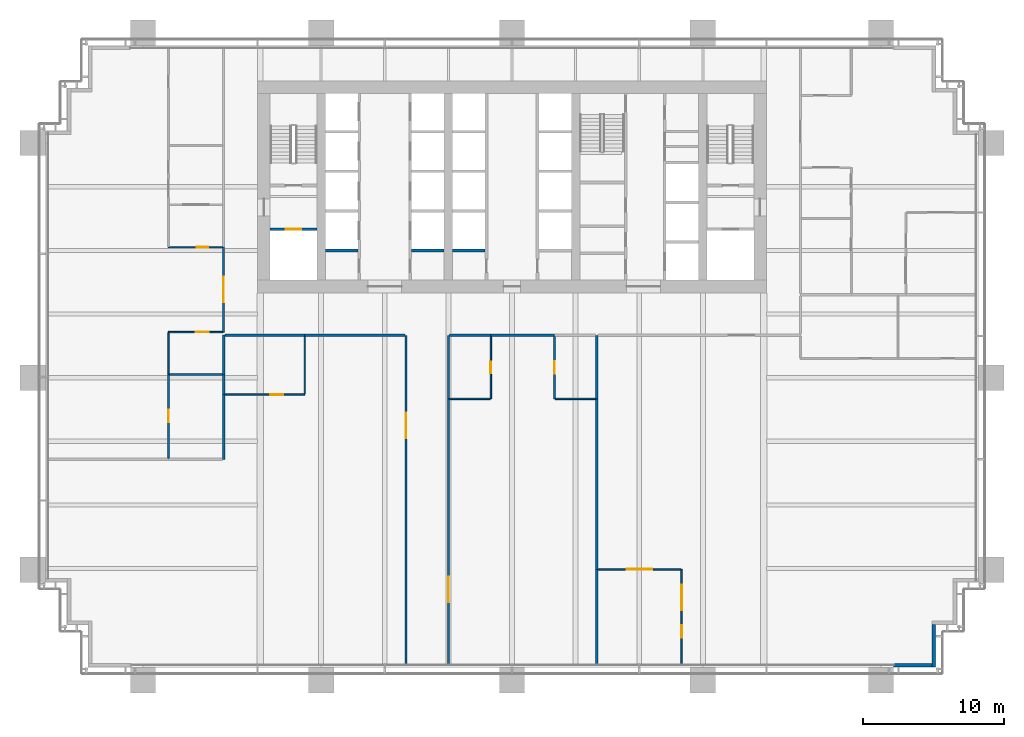
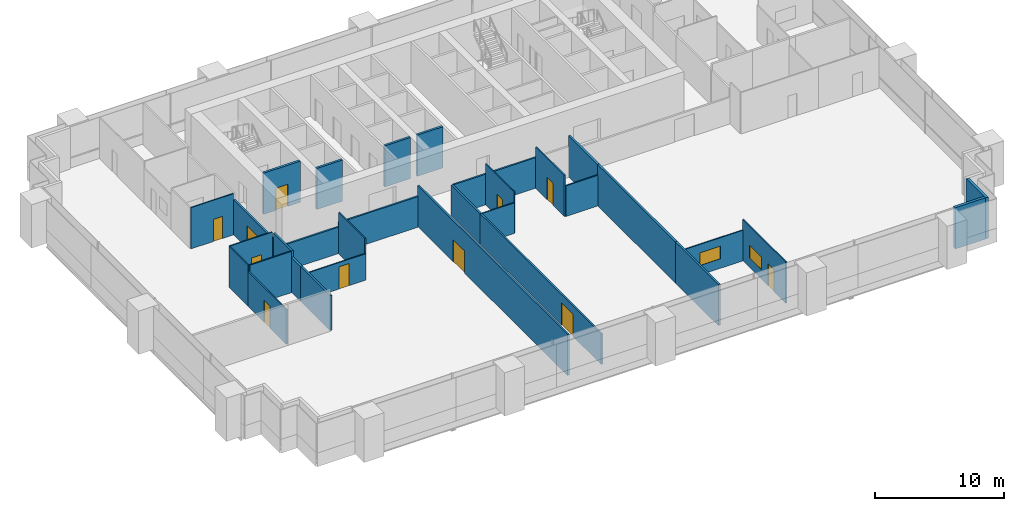
# One storey, part 11 of 19: 33 walls, 11 doors, 2 windows, 13 openings.
"""IFC4 building model written with IfcOpenShell, lengths in metres."""

from ifc_helpers import new_model, si_unit, direction, frame, frame_2d, origin, place, context, subcontext, project, spatial, rectangle, extrude, material, layer, layer_set, type_object, element, fill, save


model = new_model("IFC4")

# Units and contexts
model_context = context("Model", 3, precision=1e-05, world=origin(), true_north=direction((0.0, 1.0)))
body_context = subcontext(model_context, "Body", "Model", "MODEL_VIEW")
ifc_project = project(units=[si_unit("LENGTHUNIT", "METRE"), si_unit("AREAUNIT", "SQUARE_METRE"), si_unit("VOLUMEUNIT", "CUBIC_METRE"), si_unit("PLANEANGLEUNIT", "RADIAN"), si_unit("MASSUNIT", "GRAM", prefix="KILO")], contexts=[model_context])

# Site, building, storey
site_placement = place(None, origin())
site = spatial("IfcSite", under=ifc_project, at=site_placement, CompositionType="ELEMENT")
building_placement = place(site_placement, origin())
building = spatial("IfcBuilding", under=site, at=building_placement, Name="Rattan Terrace Tower", CompositionType="ELEMENT")
storey_placement = place(building_placement, frame((0.0, 0.0, 52.89990234375)))
storey = spatial("IfcBuildingStorey", under=building, at=storey_placement, Name="L11", CompositionType="ELEMENT", Elevation=52.89990234375)

# Wall, opening, door
ifc_material_1 = material(Name="Gypsum board partition")
ifc_layer_1 = layer(ifc_material_1, 0.199951171875)
ifc_layer_set_1 = layer_set([ifc_layer_1], Name="Core partition 200")
wall_type_1 = type_object("IfcWallType", Name="Core partition 200", PredefinedType="PARTITIONING", material=ifc_layer_set_1)
wall_1_placement = place(storey_placement, frame((-17.10009765625, -3.0, 0.0), z_axis=(0.0, 0.0, 1.0), x_axis=(1.0, 0.0, 0.0)))
wall_1 = element("IfcWall", 1, at=wall_1_placement, inside=storey, type_object=wall_type_1, Name="Fire-fighting lobby wall", PredefinedType="PARTITIONING", context=body_context, shape_type="SweptSolid", body=[
    extrude(rectangle(XDim=3.300048828125, YDim=0.199951171875, at=frame_2d((1.64990234375, 0.0))), origin(), (0.0, 0.0, 1.0), 3.900146484375),
])
opening_1_placement = place(wall_1_placement, frame((1.10009765625, 0.0, 0.0)))
opening_1 = element("IfcOpeningElement", 2, at=opening_1_placement, cuts=wall_1, Name="Opening L11-LD-FF1", PredefinedType="OPENING", context=body_context, shape_type="SweptSolid", body=[
    extrude(rectangle(XDim=1.10009765625, YDim=2.10009765625, at=frame_2d((0.550048828125, 1.050048828125))), frame((0.0, 0.110595703125, 0.0), z_axis=(0.0, -1.0, 0.0), x_axis=(1.0, 0.0, 0.0)), (0.0, 0.0, 1.0), 0.220947265625),
])
ifc_material_2 = material(Name="Brushed stainless landing door panel")
door_type_1 = type_object("IfcDoorType", Name="Core lift landing door 1100", OperationType="DOUBLE_DOOR_SLIDING", PredefinedType="DOOR", material=ifc_material_2)
door_1_placement = place(opening_1_placement, origin())
door_1 = element("IfcDoor", 3, at=door_1_placement, inside=storey, type_object=door_type_1, Name="Door L11-LD-FF1", OperationType="DOUBLE_DOOR_SLIDING", OverallHeight=2.10009765625, OverallWidth=1.10009765625, PredefinedType="DOOR", context=body_context, shape_type="SweptSolid", body=[
    extrude(rectangle(XDim=1.10009765625, YDim=2.10009765625, at=frame_2d((0.550048828125, 1.050048828125))), frame((0.0, 0.02490234375, 0.0), z_axis=(0.0, -1.0, 0.0), x_axis=(1.0, 0.0, 0.0)), (0.0, 0.0, 1.0), 0.050048828125),
])
fill(opening_1, door_1)

# Walls
ifc_material_3 = material(Name="Insulated aluminium-clad stud wall", Category="aluminium")
ifc_layer_2 = layer(ifc_material_3, 0.25)
ifc_layer_set_2 = layer_set([ifc_layer_2], Name="Facade Riser Wall 250")
wall_type_2 = type_object("IfcWallType", Name="Facade Riser Wall 250", PredefinedType="SOLIDWALL", material=ifc_layer_set_2)
wall_2_placement = place(storey_placement, frame((27.0, -33.830078125, 0.0), z_axis=(0.0, 0.0, 1.0), x_axis=(1.0, 0.0, 0.0)))
element("IfcWall", 4, at=wall_2_placement, inside=storey, type_object=wall_type_2, Name="Riser wall L11-1", PredefinedType="SOLIDWALL", context=body_context, shape_type="SweptSolid", body=[
    extrude(rectangle(XDim=2.705078125, YDim=0.25, at=frame_2d((1.3525390625, 0.0))), origin(), (0.0, 0.0, 1.0), 3.900146484375),
])
wall_3_placement = place(storey_placement, frame((29.830078125, -33.955078125, 0.0), z_axis=(0.0, 0.0, 1.0), x_axis=(0.0, 1.0, 0.0)))
element("IfcWall", 5, at=wall_3_placement, inside=storey, type_object=wall_type_2, Name="Riser wall L11-2", PredefinedType="SOLIDWALL", context=body_context, shape_type="SweptSolid", body=[
    extrude(rectangle(XDim=3.0, YDim=0.25, at=frame_2d((1.5, 0.0))), origin(), (0.0, 0.0, 1.0), 3.900146484375),
])
ifc_material_4 = material(Name="Double steel stud acoustic partition, gypsum board, mineral wool, fire rated", Category="steel")
ifc_layer_3 = layer(ifc_material_4, 0.179931640625)
ifc_layer_set_3 = layer_set([ifc_layer_3], Name="Floors Acoustic Party Wall 180")
wall_type_3 = type_object("IfcWallType", Name="Floors Acoustic Party Wall 180", PredefinedType="PARTITIONING", material=ifc_layer_set_3)
wall_4_placement = place(storey_placement, frame((-20.39990234375, -14.679931640625, 0.0), z_axis=(0.0, 0.0, 1.0), x_axis=(0.0, -1.0, 0.0)))
element("IfcWall", 6, at=wall_4_placement, inside=storey, type_object=wall_type_3, Name="pt-L11-029", PredefinedType="PARTITIONING", context=body_context, shape_type="SweptSolid", body=[
    extrude(rectangle(XDim=4.593017578125, YDim=0.179931640625, at=frame_2d((2.29638671875, 0.0))), origin(), (0.0, 0.0, 1.0), 3.300048828125),
])
wall_5_placement = place(storey_placement, frame((-20.39990234375, -13.27294921875, 0.0), z_axis=(0.0, 0.0, 1.0), x_axis=(0.0, -1.0, 0.0)))
element("IfcWall", 7, at=wall_5_placement, inside=storey, type_object=wall_type_3, Name="pt-L11-030", PredefinedType="PARTITIONING", context=body_context, shape_type="SweptSolid", body=[
    extrude(rectangle(XDim=1.406982421875, YDim=0.179931640625, at=frame_2d((0.70361328125, 0.0))), origin(), (0.0, 0.0, 1.0), 3.300048828125),
])
wall_6_placement = place(storey_placement, frame((-20.39990234375, -10.47998046875, 0.0), z_axis=(0.0, 0.0, 1.0), x_axis=(0.0, -1.0, 0.0)))
element("IfcWall", 8, at=wall_6_placement, inside=storey, type_object=wall_type_3, Name="pt-L11-031", PredefinedType="PARTITIONING", context=body_context, shape_type="SweptSolid", body=[
    extrude(rectangle(XDim=2.79296875, YDim=0.179931640625, at=frame_2d((1.396484375, 0.0))), origin(), (0.0, 0.0, 1.0), 3.900146484375),
])
wall_7_placement = place(storey_placement, frame((6.0, -15.0, 0.0), z_axis=(0.0, 0.0, 1.0), x_axis=(0.0, -1.0, 0.0)))
element("IfcWall", 9, at=wall_7_placement, inside=storey, type_object=wall_type_3, Name="pt-L11-052", PredefinedType="PARTITIONING", context=body_context, shape_type="SweptSolid", body=[
    extrude(rectangle(XDim=12.080078125, YDim=0.179931640625, at=frame_2d((6.0400390625, 0.0))), origin(), (0.0, 0.0, 1.0), 3.900146484375),
])
wall_8_placement = place(storey_placement, frame((6.0, -27.080078125, 0.0), z_axis=(0.0, 0.0, 1.0), x_axis=(0.0, -1.0, 0.0)))
element("IfcWall", 10, at=wall_8_placement, inside=storey, type_object=wall_type_3, Name="pt-L11-053", PredefinedType="PARTITIONING", context=body_context, shape_type="SweptSolid", body=[
    extrude(rectangle(XDim=6.659912109375, YDim=0.179931640625, at=frame_2d((3.330078125, 0.0))), origin(), (0.0, 0.0, 1.0), 3.900146484375),
])
wall_9_placement = place(storey_placement, frame((6.0, -10.5, 0.0), z_axis=(0.0, 0.0, 1.0), x_axis=(0.0, -1.0, 0.0)))
element("IfcWall", 11, at=wall_9_placement, inside=storey, type_object=wall_type_3, Name="pt-L11-054", PredefinedType="PARTITIONING", context=body_context, shape_type="SweptSolid", body=[
    extrude(rectangle(XDim=4.5, YDim=0.179931640625, at=frame_2d((2.25, 0.0))), origin(), (0.0, 0.0, 1.0), 3.900146484375),
])
ifc_material_5 = material(Name="Gypsum board partition on steel studs", Category="steel")
ifc_layer_4 = layer(ifc_material_5, 0.10009765625)
ifc_layer_set_4 = layer_set([ifc_layer_4], Name="Floors Partition 100")
wall_type_4 = type_object("IfcWallType", Name="Floors Partition 100", PredefinedType="PARTITIONING", material=ifc_layer_set_4)
wall_10_placement = place(storey_placement, frame((-24.300048828125, -10.322998046875, 0.0), z_axis=(0.0, 0.0, 1.0), x_axis=(0.0, -1.0, 0.0)))
element("IfcWall", 12, at=wall_10_placement, inside=storey, type_object=wall_type_4, Name="pt-L11-020", PredefinedType="PARTITIONING", context=body_context, shape_type="SweptSolid", body=[
    extrude(rectangle(XDim=2.929931640625, YDim=0.10009765625, at=frame_2d((1.46484375, 0.0))), origin(), (0.0, 0.0, 1.0), 3.900146484375),
])

# Wall, opening, door
wall_11_placement = place(storey_placement, frame((-20.47509765625, -10.27294921875, 0.0), z_axis=(0.0, 0.0, 1.0), x_axis=(-1.0, 0.0, 0.0)))
wall_11 = element("IfcWall", 13, at=wall_11_placement, inside=storey, type_object=wall_type_4, Name="pt-L11-021", PredefinedType="PARTITIONING", context=body_context, shape_type="SweptSolid", body=[
    extrude(rectangle(XDim=3.824951171875, YDim=0.10009765625, at=frame_2d((1.91259765625, 0.0))), origin(), (0.0, 0.0, 1.0), 3.900146484375),
])
opening_2_placement = place(wall_11_placement, frame((0.97705078125, 0.0, 0.0)))
opening_2 = element("IfcOpeningElement", 14, at=opening_2_placement, cuts=wall_11, Name="Opening L11-D102", PredefinedType="OPENING", context=body_context, shape_type="SweptSolid", body=[
    extrude(rectangle(XDim=0.89990234375, YDim=2.10009765625, at=frame_2d((0.449951171875, 1.050048828125))), frame((0.0, 0.060546875, 0.0), z_axis=(0.0, -1.0, 0.0), x_axis=(1.0, 0.0, 0.0)), (0.0, 0.0, 1.0), 0.12109375),
])
ifc_material_6 = material(Name="Solid core timber door, painted", Category="wood")
door_type_2 = type_object("IfcDoorType", Name="Floors Door 900x2100", OperationType="NOTDEFINED", PredefinedType="DOOR", material=ifc_material_6)
door_2_placement = place(opening_2_placement, origin())
door_2 = element("IfcDoor", 15, at=door_2_placement, inside=storey, type_object=door_type_2, Name="d-L11-102", OperationType="SINGLE_SWING_LEFT", OverallHeight=2.10009765625, OverallWidth=0.89990234375, PredefinedType="DOOR", context=body_context, shape_type="SweptSolid", body=[
    extrude(rectangle(XDim=0.89990234375, YDim=2.10009765625, at=frame_2d((0.449951171875, 1.050048828125))), frame((0.0, 0.02490234375, 0.0), z_axis=(0.0, -1.0, 0.0), x_axis=(1.0, 0.0, 0.0)), (0.0, 0.0, 1.0), 0.050048828125),
])
fill(opening_2, door_2)

wall_12_placement = place(storey_placement, frame((-24.300048828125, -4.27294921875, 0.0), z_axis=(0.0, 0.0, 1.0), x_axis=(1.0, 0.0, 0.0)))
wall_12 = element("IfcWall", 16, at=wall_12_placement, inside=storey, type_object=wall_type_4, Name="pt-L11-023", PredefinedType="PARTITIONING", context=body_context, shape_type="SweptSolid", body=[
    extrude(rectangle(XDim=3.824951171875, YDim=0.10009765625, at=frame_2d((1.91259765625, 0.0))), origin(), (0.0, 0.0, 1.0), 3.900146484375),
])
opening_3_placement = place(wall_12_placement, frame((2.01708984375, 0.0, 0.0)))
opening_3 = element("IfcOpeningElement", 17, at=opening_3_placement, cuts=wall_12, Name="Opening L11-D103", PredefinedType="OPENING", context=body_context, shape_type="SweptSolid", body=[
    extrude(rectangle(XDim=0.800048828125, YDim=2.10009765625, at=frame_2d((0.39990234375, 1.050048828125))), frame((0.0, 0.060546875, 0.0), z_axis=(0.0, -1.0, 0.0), x_axis=(1.0, 0.0, 0.0)), (0.0, 0.0, 1.0), 0.12109375),
])
ifc_material_7 = material(Name="Solid core timber door, painted", Category="wood")
door_type_3 = type_object("IfcDoorType", Name="Floors Store Door 800x2100", OperationType="NOTDEFINED", PredefinedType="DOOR", material=ifc_material_7)
door_3_placement = place(opening_3_placement, origin())
door_3 = element("IfcDoor", 18, at=door_3_placement, inside=storey, type_object=door_type_3, Name="d-L11-103", OperationType="SINGLE_SWING_RIGHT", OverallHeight=2.10009765625, OverallWidth=0.800048828125, PredefinedType="DOOR", context=body_context, shape_type="SweptSolid", body=[
    extrude(rectangle(XDim=0.800048828125, YDim=2.10009765625, at=frame_2d((0.39990234375, 1.050048828125))), frame((0.0, 0.02490234375, 0.0), z_axis=(0.0, -1.0, 0.0), x_axis=(1.0, 0.0, 0.0)), (0.0, 0.0, 1.0), 0.050048828125),
])
fill(opening_3, door_3)

wall_13_placement = place(storey_placement, frame((-20.31005859375, -14.699951171875, 0.0), z_axis=(0.0, 0.0, 1.0), x_axis=(1.0, 0.0, 0.0)))
wall_13 = element("IfcWall", 19, at=wall_13_placement, inside=storey, type_object=wall_type_4, Name="pt-L11-046", PredefinedType="PARTITIONING", context=body_context, shape_type="SweptSolid", body=[
    extrude(rectangle(XDim=5.650146484375, YDim=0.10009765625, at=frame_2d((2.8251953125, 0.0))), origin(), (0.0, 0.0, 1.0), 2.5),
])
opening_4_placement = place(wall_13_placement, frame((3.22509765625, 0.0, 0.0)))
opening_4 = element("IfcOpeningElement", 20, at=opening_4_placement, cuts=wall_13, Name="Opening L11-D112", PredefinedType="OPENING", context=body_context, shape_type="SweptSolid", body=[
    extrude(rectangle(XDim=0.89990234375, YDim=2.10009765625, at=frame_2d((0.449951171875, 1.050048828125))), frame((0.0, 0.060546875, 0.0), z_axis=(0.0, -1.0, 0.0), x_axis=(1.0, 0.0, 0.0)), (0.0, 0.0, 1.0), 0.12109375),
])
door_4_placement = place(opening_4_placement, origin())
door_4 = element("IfcDoor", 21, at=door_4_placement, inside=storey, type_object=door_type_2, Name="d-L11-112", OperationType="SINGLE_SWING_RIGHT", OverallHeight=2.10009765625, OverallWidth=0.89990234375, PredefinedType="DOOR", context=body_context, shape_type="SweptSolid", body=[
    extrude(rectangle(XDim=0.89990234375, YDim=2.10009765625, at=frame_2d((0.449951171875, 1.050048828125))), frame((0.0, 0.02490234375, 0.0), z_axis=(0.0, -1.0, 0.0), x_axis=(1.0, 0.0, 0.0)), (0.0, 0.0, 1.0), 0.050048828125),
])
fill(opening_4, door_4)

# Walls
wall_14_placement = place(storey_placement, frame((-14.659912109375, -14.64990234375, 0.0), z_axis=(0.0, 0.0, 1.0), x_axis=(0.0, 1.0, 0.0)))
element("IfcWall", 22, at=wall_14_placement, inside=storey, type_object=wall_type_4, Name="pt-L11-047", PredefinedType="PARTITIONING", context=body_context, shape_type="SweptSolid", body=[
    extrude(rectangle(XDim=4.074951171875, YDim=0.10009765625, at=frame_2d((2.03759765625, 0.0))), origin(), (0.0, 0.0, 1.0), 3.900146484375),
])
wall_15_placement = place(storey_placement, frame((-4.425048828125, -15.0, 0.0), z_axis=(0.0, 0.0, 1.0), x_axis=(1.0, 0.0, 0.0)))
element("IfcWall", 23, at=wall_15_placement, inside=storey, type_object=wall_type_4, Name="pt-L11-048", PredefinedType="PARTITIONING", context=body_context, shape_type="SweptSolid", body=[
    extrude(rectangle(XDim=2.875, YDim=0.10009765625, at=frame_2d((1.4375, 0.0))), origin(), (0.0, 0.0, 1.0), 2.900146484375),
])

# Wall, opening, door
wall_16_placement = place(storey_placement, frame((-1.5, -15.0, 0.0), z_axis=(0.0, 0.0, 1.0), x_axis=(0.0, 1.0, 0.0)))
wall_16 = element("IfcWall", 24, at=wall_16_placement, inside=storey, type_object=wall_type_4, Name="pt-L11-049", PredefinedType="PARTITIONING", context=body_context, shape_type="SweptSolid", body=[
    extrude(rectangle(XDim=4.425048828125, YDim=0.10009765625, at=frame_2d((2.21240234375, 0.0))), origin(), (0.0, 0.0, 1.0), 3.900146484375),
])
opening_5_placement = place(wall_16_placement, frame((1.81298828125, 0.0, 0.0)))
opening_5 = element("IfcOpeningElement", 25, at=opening_5_placement, cuts=wall_16, Name="Opening L11-D114", PredefinedType="OPENING", context=body_context, shape_type="SweptSolid", body=[
    extrude(rectangle(XDim=0.800048828125, YDim=2.10009765625, at=frame_2d((0.39990234375, 1.050048828125))), frame((0.0, 0.060546875, 0.0), z_axis=(0.0, -1.0, 0.0), x_axis=(1.0, 0.0, 0.0)), (0.0, 0.0, 1.0), 0.12109375),
])
door_5_placement = place(opening_5_placement, origin())
door_5 = element("IfcDoor", 26, at=door_5_placement, inside=storey, type_object=door_type_3, Name="d-L11-114", OperationType="SINGLE_SWING_LEFT", OverallHeight=2.10009765625, OverallWidth=0.800048828125, PredefinedType="DOOR", context=body_context, shape_type="SweptSolid", body=[
    extrude(rectangle(XDim=0.800048828125, YDim=2.10009765625, at=frame_2d((0.39990234375, 1.050048828125))), frame((0.0, 0.02490234375, 0.0), z_axis=(0.0, -1.0, 0.0), x_axis=(1.0, 0.0, 0.0)), (0.0, 0.0, 1.0), 0.050048828125),
])
fill(opening_5, door_5)

# Wall, opening, window
wall_17_placement = place(storey_placement, frame((11.949951171875, -27.06005859375, 0.0), z_axis=(0.0, 0.0, 1.0), x_axis=(-1.0, 0.0, 0.0)))
wall_17 = element("IfcWall", 27, at=wall_17_placement, inside=storey, type_object=wall_type_4, Name="pt-L11-055", PredefinedType="PARTITIONING", context=body_context, shape_type="SweptSolid", body=[
    extrude(rectangle(XDim=5.85986328125, YDim=0.10009765625, at=frame_2d((2.929931640625, 0.0))), origin(), (0.0, 0.0, 1.0), 2.900146484375),
])
opening_6_placement = place(wall_17_placement, frame((2.030029296875, 0.0, 0.89990234375)))
opening_6 = element("IfcOpeningElement", 28, at=opening_6_placement, cuts=wall_17, Name="Opening L11-W106", PredefinedType="OPENING", context=body_context, shape_type="SweptSolid", body=[
    extrude(rectangle(XDim=1.800048828125, YDim=1.199951171875, at=frame_2d((0.89990234375, 0.60009765625))), frame((0.0, 0.060546875, 0.0), z_axis=(0.0, -1.0, 0.0), x_axis=(1.0, 0.0, 0.0)), (0.0, 0.0, 1.0), 0.12109375),
])
ifc_material_8 = material(Name="Glass, clear, fixed in aluminium frame", Category="aluminium")
window_type = type_object("IfcWindowType", Name="Interior Vision Window 1800x1200", PartitioningType="SINGLE_PANEL", PredefinedType="WINDOW", material=ifc_material_8)
window_1_placement = place(opening_6_placement, origin())
window_1 = element("IfcWindow", 29, at=window_1_placement, inside=storey, type_object=window_type, Name="w-L11-106", OverallHeight=1.199951171875, OverallWidth=1.800048828125, PartitioningType="SINGLE_PANEL", PredefinedType="WINDOW", context=body_context, shape_type="SweptSolid", body=[
    extrude(rectangle(XDim=1.800048828125, YDim=1.199951171875, at=frame_2d((0.89990234375, 0.60009765625))), frame((0.0, 0.030029296875, 0.0), z_axis=(0.0, -1.0, 0.0), x_axis=(1.0, 0.0, 0.0)), (0.0, 0.0, 1.0), 0.06005859375),
])
fill(opening_6, window_1)

# Wall, openings, door, window
wall_18_placement = place(storey_placement, frame((12.0, -33.739990234375, 0.0), z_axis=(0.0, 0.0, 1.0), x_axis=(0.0, 1.0, 0.0)))
wall_18 = element("IfcWall", 30, at=wall_18_placement, inside=storey, type_object=wall_type_4, Name="pt-L11-056", PredefinedType="PARTITIONING", context=body_context, shape_type="SweptSolid", body=[
    extrude(rectangle(XDim=6.679931640625, YDim=0.10009765625, at=frame_2d((3.33984375, 0.0))), origin(), (0.0, 0.0, 1.0), 3.900146484375),
])
opening_7_placement = place(wall_18_placement, frame((1.833984375, 0.0, 0.0)))
opening_7 = element("IfcOpeningElement", 31, at=opening_7_placement, cuts=wall_18, Name="Opening L11-D117", PredefinedType="OPENING", context=body_context, shape_type="SweptSolid", body=[
    extrude(rectangle(XDim=0.89990234375, YDim=2.10009765625, at=frame_2d((0.449951171875, 1.050048828125))), frame((0.0, 0.060546875, 0.0), z_axis=(0.0, -1.0, 0.0), x_axis=(1.0, 0.0, 0.0)), (0.0, 0.0, 1.0), 0.12109375),
])
opening_8_placement = place(wall_18_placement, frame((3.781982421875, 0.0, 0.89990234375)))
opening_8 = element("IfcOpeningElement", 32, at=opening_8_placement, cuts=wall_18, Name="Opening L11-W107", PredefinedType="OPENING", context=body_context, shape_type="SweptSolid", body=[
    extrude(rectangle(XDim=1.800048828125, YDim=1.199951171875, at=frame_2d((0.89990234375, 0.60009765625))), frame((0.0, 0.060546875, 0.0), z_axis=(0.0, -1.0, 0.0), x_axis=(1.0, 0.0, 0.0)), (0.0, 0.0, 1.0), 0.12109375),
])
door_6_placement = place(opening_7_placement, origin())
door_6 = element("IfcDoor", 33, at=door_6_placement, inside=storey, type_object=door_type_2, Name="d-L11-117", OperationType="SINGLE_SWING_LEFT", OverallHeight=2.10009765625, OverallWidth=0.89990234375, PredefinedType="DOOR", context=body_context, shape_type="SweptSolid", body=[
    extrude(rectangle(XDim=0.89990234375, YDim=2.10009765625, at=frame_2d((0.449951171875, 1.050048828125))), frame((0.0, 0.02490234375, 0.0), z_axis=(0.0, -1.0, 0.0), x_axis=(1.0, 0.0, 0.0)), (0.0, 0.0, 1.0), 0.050048828125),
])
fill(opening_7, door_6)
window_2_placement = place(opening_8_placement, origin())
window_2 = element("IfcWindow", 34, at=window_2_placement, inside=storey, type_object=window_type, Name="w-L11-107", OverallHeight=1.199951171875, OverallWidth=1.800048828125, PartitioningType="SINGLE_PANEL", PredefinedType="WINDOW", context=body_context, shape_type="SweptSolid", body=[
    extrude(rectangle(XDim=1.800048828125, YDim=1.199951171875, at=frame_2d((0.89990234375, 0.60009765625))), frame((0.0, 0.030029296875, 0.0), z_axis=(0.0, -1.0, 0.0), x_axis=(1.0, 0.0, 0.0)), (0.0, 0.0, 1.0), 0.06005859375),
])
fill(opening_8, window_2)

# Wall, opening, door
ifc_material_9 = material(Name="Gypsum board partition on steel studs, fire rated", Category="steel")
ifc_layer_5 = layer(ifc_material_9, 0.14990234375)
ifc_layer_set_5 = layer_set([ifc_layer_5], Name="Floors Tenancy Wall 150")
wall_type_5 = type_object("IfcWallType", Name="Floors Tenancy Wall 150", PredefinedType="PARTITIONING", material=ifc_layer_set_5)
wall_19_placement = place(storey_placement, frame((-20.39990234375, -10.29296875, 0.0), z_axis=(0.0, 0.0, 1.0), x_axis=(0.0, 1.0, 0.0)))
wall_19 = element("IfcWall", 35, at=wall_19_placement, inside=storey, type_object=wall_type_5, Name="pt-L11-001", PredefinedType="PARTITIONING", context=body_context, shape_type="SweptSolid", body=[
    extrude(rectangle(XDim=6.0400390625, YDim=0.14990234375, at=frame_2d((3.02001953125, 0.0))), origin(), (0.0, 0.0, 1.0), 3.300048828125),
])
opening_9_placement = place(wall_19_placement, frame((2.1201171875, 0.0, 0.0)))
opening_9 = element("IfcOpeningElement", 36, at=opening_9_placement, cuts=wall_19, Name="Opening L11-D100", PredefinedType="OPENING", context=body_context, shape_type="SweptSolid", body=[
    extrude(rectangle(XDim=1.800048828125, YDim=2.10009765625, at=frame_2d((0.89990234375, 1.050048828125))), frame((0.0, 0.08544921875, 0.0), z_axis=(0.0, -1.0, 0.0), x_axis=(1.0, 0.0, 0.0)), (0.0, 0.0, 1.0), 0.1708984375),
])
ifc_material_10 = material(Name="Steel fire door set", Category="steel")
door_type_4 = type_object("IfcDoorType", Name="Floors Fire Door Pair FD30S 1800x2100", OperationType="NOTDEFINED", PredefinedType="DOOR", material=ifc_material_10)
door_7_placement = place(opening_9_placement, origin())
door_7 = element("IfcDoor", 37, at=door_7_placement, inside=storey, type_object=door_type_4, Name="d-L11-100", OperationType="DOUBLE_DOOR_SINGLE_SWING", OverallHeight=2.10009765625, OverallWidth=1.800048828125, PredefinedType="DOOR", context=body_context, shape_type="SweptSolid", body=[
    extrude(rectangle(XDim=1.800048828125, YDim=2.10009765625, at=frame_2d((0.89990234375, 1.050048828125))), frame((0.0, 0.02490234375, 0.0), z_axis=(0.0, -1.0, 0.0), x_axis=(1.0, 0.0, 0.0)), (0.0, 0.0, 1.0), 0.050048828125),
])
fill(opening_9, door_7)

# Wall
wall_20_placement = place(storey_placement, frame((-7.574951171875, -10.5, 0.0), z_axis=(0.0, 0.0, 1.0), x_axis=(-1.0, 0.0, 0.0)))
element("IfcWall", 38, at=wall_20_placement, inside=storey, type_object=wall_type_5, Name="pt-L11-009", PredefinedType="PARTITIONING", context=body_context, shape_type="SweptSolid", body=[
    extrude(rectangle(XDim=7.10498046875, YDim=0.14990234375, at=frame_2d((3.552490234375, 0.0))), origin(), (0.0, 0.0, 1.0), 2.900146484375),
])

# Wall, opening, door
wall_21_placement = place(storey_placement, frame((-7.5, -33.739990234375, 0.0), z_axis=(0.0, 0.0, 1.0), x_axis=(0.0, 1.0, 0.0)))
wall_21 = element("IfcWall", 39, at=wall_21_placement, inside=storey, type_object=wall_type_5, Name="pt-L11-010", PredefinedType="PARTITIONING", context=body_context, shape_type="SweptSolid", body=[
    extrude(rectangle(XDim=23.239990234375, YDim=0.14990234375, at=frame_2d((11.6201171875, 0.0))), origin(), (0.0, 0.0, 1.0), 3.900146484375),
])
opening_10_placement = place(wall_21_placement, frame((15.955078125, 0.0, 0.0)))
opening_10 = element("IfcOpeningElement", 40, at=opening_10_placement, cuts=wall_21, Name="Opening L11-D111", PredefinedType="OPENING", context=body_context, shape_type="SweptSolid", body=[
    extrude(rectangle(XDim=1.800048828125, YDim=2.10009765625, at=frame_2d((0.89990234375, 1.050048828125))), frame((0.0, 0.08544921875, 0.0), z_axis=(0.0, -1.0, 0.0), x_axis=(1.0, 0.0, 0.0)), (0.0, 0.0, 1.0), 0.1708984375),
])
door_8_placement = place(opening_10_placement, origin())
door_8 = element("IfcDoor", 41, at=door_8_placement, inside=storey, type_object=door_type_4, Name="d-L11-111", OperationType="DOUBLE_DOOR_SINGLE_SWING", OverallHeight=2.10009765625, OverallWidth=1.800048828125, PredefinedType="DOOR", context=body_context, shape_type="SweptSolid", body=[
    extrude(rectangle(XDim=1.800048828125, YDim=2.10009765625, at=frame_2d((0.89990234375, 1.050048828125))), frame((0.0, 0.02490234375, 0.0), z_axis=(0.0, -1.0, 0.0), x_axis=(1.0, 0.0, 0.0)), (0.0, 0.0, 1.0), 0.050048828125),
])
fill(opening_10, door_8)

# Wall
wall_22_placement = place(storey_placement, frame((-14.679931640625, -10.5, 0.0), z_axis=(0.0, 0.0, 1.0), x_axis=(-1.0, 0.0, 0.0)))
element("IfcWall", 42, at=wall_22_placement, inside=storey, type_object=wall_type_5, Name="pt-L11-011", PredefinedType="PARTITIONING", context=body_context, shape_type="SweptSolid", body=[
    extrude(rectangle(XDim=5.630126953125, YDim=0.14990234375, at=frame_2d((2.81494140625, 0.0))), origin(), (0.0, 0.0, 1.0), 2.5),
])

# Wall, opening, door
wall_23_placement = place(storey_placement, frame((-4.5, -14.97998046875, 0.0), z_axis=(0.0, 0.0, 1.0), x_axis=(0.0, -1.0, 0.0)))
wall_23 = element("IfcWall", 43, at=wall_23_placement, inside=storey, type_object=wall_type_5, Name="pt-L11-012", PredefinedType="PARTITIONING", context=body_context, shape_type="SweptSolid", body=[
    extrude(rectangle(XDim=18.760009765625, YDim=0.14990234375, at=frame_2d((9.3798828125, 0.0))), origin(), (0.0, 0.0, 1.0), 2.900146484375),
])
opening_11_placement = place(wall_23_placement, frame((12.594970703125, 0.0, 0.0)))
opening_11 = element("IfcOpeningElement", 44, at=opening_11_placement, cuts=wall_23, Name="Opening L11-D113", PredefinedType="OPENING", context=body_context, shape_type="SweptSolid", body=[
    extrude(rectangle(XDim=1.800048828125, YDim=2.10009765625, at=frame_2d((0.89990234375, 1.050048828125))), frame((0.0, 0.08544921875, 0.0), z_axis=(0.0, -1.0, 0.0), x_axis=(1.0, 0.0, 0.0)), (0.0, 0.0, 1.0), 0.1708984375),
])
door_9_placement = place(opening_11_placement, origin())
door_9 = element("IfcDoor", 45, at=door_9_placement, inside=storey, type_object=door_type_4, Name="d-L11-113", OperationType="DOUBLE_DOOR_SINGLE_SWING", OverallHeight=2.10009765625, OverallWidth=1.800048828125, PredefinedType="DOOR", context=body_context, shape_type="SweptSolid", body=[
    extrude(rectangle(XDim=1.800048828125, YDim=2.10009765625, at=frame_2d((0.89990234375, 1.050048828125))), frame((0.0, 0.02490234375, 0.0), z_axis=(0.0, -1.0, 0.0), x_axis=(1.0, 0.0, 0.0)), (0.0, 0.0, 1.0), 0.050048828125),
])
fill(opening_11, door_9)

# Walls
wall_24_placement = place(storey_placement, frame((3.02001953125, -10.5, 0.0), z_axis=(0.0, 0.0, 1.0), x_axis=(-1.0, 0.0, 0.0)))
element("IfcWall", 46, at=wall_24_placement, inside=storey, type_object=wall_type_5, Name="pt-L11-013", PredefinedType="PARTITIONING", context=body_context, shape_type="SweptSolid", body=[
    extrude(rectangle(XDim=4.5400390625, YDim=0.14990234375, at=frame_2d((2.27001953125, 0.0))), origin(), (0.0, 0.0, 1.0), 2.900146484375),
])
wall_25_placement = place(storey_placement, frame((-4.5, -10.5, 0.0), z_axis=(0.0, 0.0, 1.0), x_axis=(0.0, -1.0, 0.0)))
element("IfcWall", 47, at=wall_25_placement, inside=storey, type_object=wall_type_5, Name="pt-L11-014", PredefinedType="PARTITIONING", context=body_context, shape_type="SweptSolid", body=[
    extrude(rectangle(XDim=4.47998046875, YDim=0.14990234375, at=frame_2d((2.239990234375, 0.0))), origin(), (0.0, 0.0, 1.0), 2.900146484375),
])
wall_26_placement = place(storey_placement, frame((-1.52001953125, -10.5, 0.0), z_axis=(0.0, 0.0, 1.0), x_axis=(-1.0, 0.0, 0.0)))
element("IfcWall", 48, at=wall_26_placement, inside=storey, type_object=wall_type_5, Name="pt-L11-015", PredefinedType="PARTITIONING", context=body_context, shape_type="SweptSolid", body=[
    extrude(rectangle(XDim=2.905029296875, YDim=0.14990234375, at=frame_2d((1.45263671875, 0.0))), origin(), (0.0, 0.0, 1.0), 2.900146484375),
])

# Wall, opening, door
ifc_material_11 = material(Name="Moisture resistant gypsum board partition on steel studs with service cavity", Category="steel")
ifc_layer_6 = layer(ifc_material_11, 0.1201171875)
ifc_layer_set_6 = layer_set([ifc_layer_6], Name="Floors Wet Wall 120")
wall_type_6 = type_object("IfcWallType", Name="Floors Wet Wall 120", PredefinedType="PARTITIONING", material=ifc_layer_set_6)
wall_27_placement = place(storey_placement, frame((-24.300048828125, -13.2529296875, 0.0), z_axis=(0.0, 0.0, 1.0), x_axis=(0.0, -1.0, 0.0)))
wall_27 = element("IfcWall", 49, at=wall_27_placement, inside=storey, type_object=wall_type_6, Name="pt-L11-019", PredefinedType="PARTITIONING", context=body_context, shape_type="SweptSolid", body=[
    extrude(rectangle(XDim=5.93017578125, YDim=0.1201171875, at=frame_2d((2.965087890625, 0.0))), origin(), (0.0, 0.0, 1.0), 3.300048828125),
])
opening_12_placement = place(wall_27_placement, frame((2.514892578125, 0.0, 0.0)))
opening_12 = element("IfcOpeningElement", 50, at=opening_12_placement, cuts=wall_27, Name="Opening L11-D101", PredefinedType="OPENING", context=body_context, shape_type="SweptSolid", body=[
    extrude(rectangle(XDim=0.89990234375, YDim=2.10009765625, at=frame_2d((0.449951171875, 1.050048828125))), frame((0.0, 0.070556640625, 0.0), z_axis=(0.0, -1.0, 0.0), x_axis=(1.0, 0.0, 0.0)), (0.0, 0.0, 1.0), 0.14111328125),
])
door_10_placement = place(opening_12_placement, origin())
door_10 = element("IfcDoor", 51, at=door_10_placement, inside=storey, type_object=door_type_2, Name="d-L11-101", OperationType="SINGLE_SWING_RIGHT", OverallHeight=2.10009765625, OverallWidth=0.89990234375, PredefinedType="DOOR", context=body_context, shape_type="SweptSolid", body=[
    extrude(rectangle(XDim=0.89990234375, YDim=2.10009765625, at=frame_2d((0.449951171875, 1.050048828125))), frame((0.0, 0.02490234375, 0.0), z_axis=(0.0, -1.0, 0.0), x_axis=(1.0, 0.0, 0.0)), (0.0, 0.0, 1.0), 0.050048828125),
])
fill(opening_12, door_10)

# Wall
wall_28_placement = place(storey_placement, frame((-24.239990234375, -13.27294921875, 0.0), z_axis=(0.0, 0.0, 1.0), x_axis=(1.0, 0.0, 0.0)))
element("IfcWall", 52, at=wall_28_placement, inside=storey, type_object=wall_type_6, Name="pt-L11-027", PredefinedType="PARTITIONING", context=body_context, shape_type="SweptSolid", body=[
    extrude(rectangle(XDim=3.75, YDim=0.1201171875, at=frame_2d((1.875, 0.0))), origin(), (0.0, 0.0, 1.0), 3.900146484375),
])

# Wall, opening, door
wall_29_placement = place(storey_placement, frame((3.0, -10.574951171875, 0.0), z_axis=(0.0, 0.0, 1.0), x_axis=(0.0, -1.0, 0.0)))
wall_29 = element("IfcWall", 53, at=wall_29_placement, inside=storey, type_object=wall_type_6, Name="pt-L11-050", PredefinedType="PARTITIONING", context=body_context, shape_type="SweptSolid", body=[
    extrude(rectangle(XDim=4.425048828125, YDim=0.1201171875, at=frame_2d((2.21240234375, 0.0))), origin(), (0.0, 0.0, 1.0), 3.900146484375),
])
opening_13_placement = place(wall_29_placement, frame((1.762939453125, 0.0, 0.0)))
opening_13 = element("IfcOpeningElement", 54, at=opening_13_placement, cuts=wall_29, Name="Opening L11-D115", PredefinedType="OPENING", context=body_context, shape_type="SweptSolid", body=[
    extrude(rectangle(XDim=0.89990234375, YDim=2.10009765625, at=frame_2d((0.449951171875, 1.050048828125))), frame((0.0, 0.070556640625, 0.0), z_axis=(0.0, -1.0, 0.0), x_axis=(1.0, 0.0, 0.0)), (0.0, 0.0, 1.0), 0.14111328125),
])
door_11_placement = place(opening_13_placement, origin())
door_11 = element("IfcDoor", 55, at=door_11_placement, inside=storey, type_object=door_type_2, Name="d-L11-115", OperationType="SINGLE_SWING_RIGHT", OverallHeight=2.10009765625, OverallWidth=0.89990234375, PredefinedType="DOOR", context=body_context, shape_type="SweptSolid", body=[
    extrude(rectangle(XDim=0.89990234375, YDim=2.10009765625, at=frame_2d((0.449951171875, 1.050048828125))), frame((0.0, 0.02490234375, 0.0), z_axis=(0.0, -1.0, 0.0), x_axis=(1.0, 0.0, 0.0)), (0.0, 0.0, 1.0), 0.050048828125),
])
fill(opening_13, door_11)

# Walls
wall_30_placement = place(storey_placement, frame((3.06005859375, -15.0, 0.0), z_axis=(0.0, 0.0, 1.0), x_axis=(1.0, 0.0, 0.0)))
element("IfcWall", 56, at=wall_30_placement, inside=storey, type_object=wall_type_6, Name="pt-L11-051", PredefinedType="PARTITIONING", context=body_context, shape_type="SweptSolid", body=[
    extrude(rectangle(XDim=2.849853515625, YDim=0.1201171875, at=frame_2d((1.4248046875, 0.0))), origin(), (0.0, 0.0, 1.0), 2.900146484375),
])
ifc_material_12 = material(Name="Gypsum shaft wall system")
ifc_layer_7 = layer(ifc_material_12, 0.199951171875)
ifc_layer_set_7 = layer_set([ifc_layer_7], Name="Lift shaft wall 200")
wall_type_7 = type_object("IfcWallType", Name="Lift shaft wall 200", PredefinedType="PARTITIONING", material=ifc_layer_set_7)
for number, where, z_axis, x_axis, name in (
    (57, (-13.199951171875, -4.5, 0.0), (0.0, 0.0, 1.0), (1.0, 0.0, 0.0), "Lift shaft wall"),
    (58, (-7.10009765625, -4.5, 0.0), (0.0, 0.0, 1.0), (1.0, 0.0, 0.0), "Lift shaft wall"),
    (59, (-4.199951171875, -4.5, 0.0), (0.0, 0.0, 1.0), (1.0, 0.0, 0.0), "Lift shaft wall"),
):
    element("IfcWall", number, at=place(storey_placement, frame(where, z_axis=z_axis, x_axis=x_axis)), inside=storey, type_object=wall_type_7, Name=name, PredefinedType="PARTITIONING", context=body_context, shape_type="SweptSolid", body=[
        extrude(rectangle(XDim=2.300048828125, YDim=0.199951171875, at=frame_2d((1.14990234375, 0.0))), origin(), (0.0, 0.0, 1.0), 3.900146484375),
    ])

save(model, "model.ifc")
